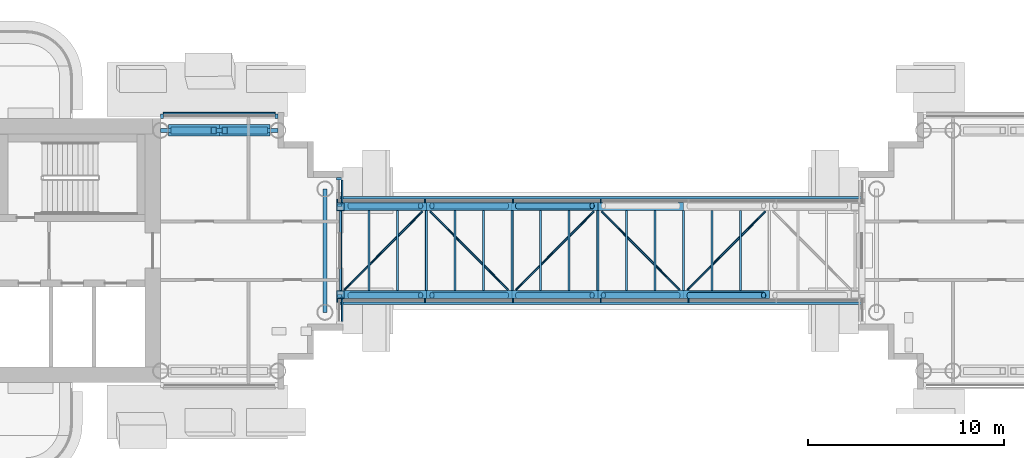
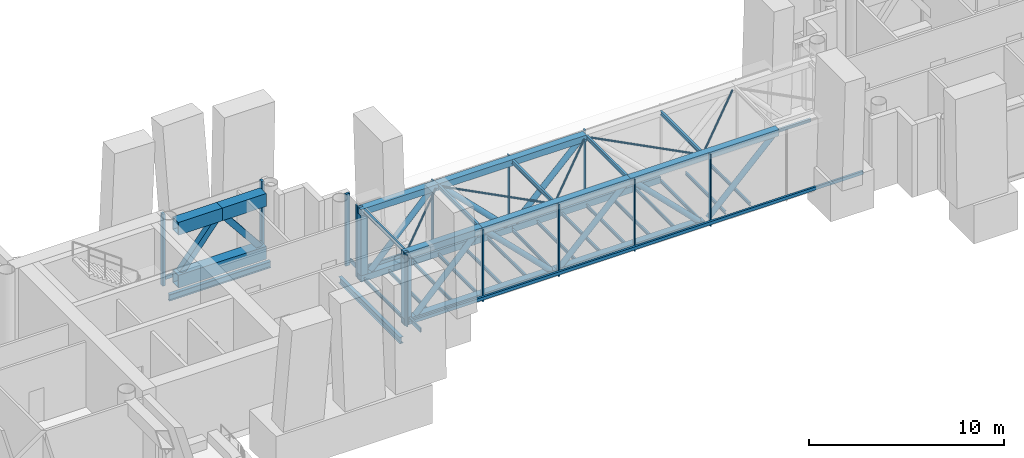
# One storey, part 4 of 26: 48 members, 22 beams, 5 elements without a shape of their own.
"""IFC4 building model written with IfcOpenShell, lengths in metres."""

from ifc_helpers import new_model, si_unit, direction, frame, origin, origin_2d, place, context, subcontext, project, spatial, rectangle, hollow_rectangle, hollow_circle, i_section, extrude, material, layer, layer_set, material_profile, profile_set, type_object, element, aggregate, save


model = new_model("IFC4")

# Units and contexts
model_context = context("Model", 3, precision=1e-05, world=origin(), true_north=direction((0.0, 1.0)))
body_context = subcontext(model_context, "Body", "Model", "MODEL_VIEW")
ifc_project = project(units=[si_unit("LENGTHUNIT", "METRE"), si_unit("AREAUNIT", "SQUARE_METRE"), si_unit("VOLUMEUNIT", "CUBIC_METRE"), si_unit("PLANEANGLEUNIT", "RADIAN"), si_unit("MASSUNIT", "GRAM", prefix="KILO")], contexts=[model_context])

# Site, building, storey
site_placement = place(None, origin())
site = spatial("IfcSite", under=ifc_project, at=site_placement, CompositionType="ELEMENT")
building_placement = place(site_placement, origin())
building = spatial("IfcBuilding", under=site, at=building_placement, Name="Ipe Terrace Towers", CompositionType="ELEMENT")
storey_placement = place(building_placement, frame((0.0, 0.0, 181.300048828125)))
storey = spatial("IfcBuildingStorey", under=building, at=storey_placement, Name="L50", CompositionType="ELEMENT", Elevation=181.300048828125)

# Curtain wall, members
ifc_material_1 = material(Name="Aluminium alloy 6063-T6", Category="aluminium")
ifc_layer_1 = layer(ifc_material_1, 0.300048828125)
ifc_layer_set_1 = layer_set([ifc_layer_1], Name="BRIDGE ENCLOSURE CURTAIN WALL")
curtain_wall_type_1 = type_object("IfcCurtainWallType", Name="BRIDGE ENCLOSURE CURTAIN WALL", PredefinedType="NOTDEFINED", material=ifc_layer_set_1)
curtain_wall_1_placement = place(storey_placement, origin())
curtain_wall_1 = element("IfcCurtainWall", 1, at=curtain_wall_1_placement, inside=storey, type_object=curtain_wall_type_1, Name="BR3-CW1 curtain wall", PredefinedType="NOTDEFINED")
ifc_material_2 = material(Name="Aluminium alloy 6063-T6", Category="aluminium")
ifc_material_profile_1 = material_profile(ifc_material_2, rectangle(XDim=0.179931640625, YDim=0.070068359375, at=origin_2d()), Name="BRIDGE ENCLOSURE MULLION 180 x 70")
ifc_profile_set_1 = profile_set([ifc_material_profile_1], Name="Aluminium alloy 6063-T6")
member_type_1 = type_object("IfcMemberType", Name="BRIDGE ENCLOSURE MULLION 180 x 70", PredefinedType="MULLION", material=ifc_profile_set_1)
member_1_placement = place(storey_placement, frame((2.25, 2.544921875, -0.300048828125), z_axis=(0.0, 0.0, 1.0), x_axis=(0.0, 1.0, 0.0)))
member_1 = element("IfcMember", 2, at=member_1_placement, type_object=member_type_1, Name="BR3-CW1 mullion 4", PredefinedType="MULLION", context=body_context, shape_type="SweptSolid", body=[
    extrude(rectangle(XDim=0.179931640625, YDim=0.070068359375, at=origin_2d()), origin(), (0.0, 0.0, 1.0), 4.5),
])
member_2_placement = place(storey_placement, frame((-2.23828125, 2.544921875, -0.300048828125), z_axis=(0.0, 0.0, 1.0), x_axis=(0.0, 1.0, 0.0)))
member_2 = element("IfcMember", 3, at=member_2_placement, type_object=member_type_1, Name="BR3-CW1 mullion 5", PredefinedType="MULLION", context=body_context, shape_type="SweptSolid", body=[
    extrude(rectangle(XDim=0.179931640625, YDim=0.070068359375, at=origin_2d()), origin(), (0.0, 0.0, 1.0), 4.5),
])
member_3_placement = place(storey_placement, frame((-6.7265625, 2.544921875, -0.300048828125), z_axis=(0.0, 0.0, 1.0), x_axis=(0.0, 1.0, 0.0)))
member_3 = element("IfcMember", 4, at=member_3_placement, type_object=member_type_1, Name="BR3-CW1 mullion 6", PredefinedType="MULLION", context=body_context, shape_type="SweptSolid", body=[
    extrude(rectangle(XDim=0.179931640625, YDim=0.070068359375, at=origin_2d()), origin(), (0.0, 0.0, 1.0), 4.5),
])
member_4_placement = place(storey_placement, frame((-11.215087890625, 2.544921875, -0.300048828125), z_axis=(0.0, 0.0, 1.0), x_axis=(0.0, 1.0, 0.0)))
member_4 = element("IfcMember", 5, at=member_4_placement, type_object=member_type_1, Name="BR3-CW1 mullion 7", PredefinedType="MULLION", context=body_context, shape_type="SweptSolid", body=[
    extrude(rectangle(XDim=0.179931640625, YDim=0.070068359375, at=origin_2d()), origin(), (0.0, 0.0, 1.0), 4.5),
])

curtain_wall_2_placement = place(storey_placement, origin())
curtain_wall_2 = element("IfcCurtainWall", 6, at=curtain_wall_2_placement, inside=storey, type_object=curtain_wall_type_1, Name="BR3-CW2 curtain wall", PredefinedType="NOTDEFINED")
member_5_placement = place(storey_placement, frame((-11.215087890625, -2.544921875, -0.300048828125), z_axis=(0.0, 0.0, 1.0), x_axis=(0.0, -1.0, 0.0)))
member_5 = element("IfcMember", 7, at=member_5_placement, type_object=member_type_1, Name="BR3-CW2 mullion 1", PredefinedType="MULLION", context=body_context, shape_type="SweptSolid", body=[
    extrude(rectangle(XDim=0.179931640625, YDim=0.070068359375, at=origin_2d()), origin(), (0.0, 0.0, 1.0), 4.5),
])
member_6_placement = place(storey_placement, frame((-6.7265625, -2.544921875, -0.300048828125), z_axis=(0.0, 0.0, 1.0), x_axis=(0.0, -1.0, 0.0)))
member_6 = element("IfcMember", 8, at=member_6_placement, type_object=member_type_1, Name="BR3-CW2 mullion 2", PredefinedType="MULLION", context=body_context, shape_type="SweptSolid", body=[
    extrude(rectangle(XDim=0.179931640625, YDim=0.070068359375, at=origin_2d()), origin(), (0.0, 0.0, 1.0), 4.5),
])
member_7_placement = place(storey_placement, frame((-2.23828125, -2.544921875, -0.300048828125), z_axis=(0.0, 0.0, 1.0), x_axis=(0.0, -1.0, 0.0)))
member_7 = element("IfcMember", 9, at=member_7_placement, type_object=member_type_1, Name="BR3-CW2 mullion 3", PredefinedType="MULLION", context=body_context, shape_type="SweptSolid", body=[
    extrude(rectangle(XDim=0.179931640625, YDim=0.070068359375, at=origin_2d()), origin(), (0.0, 0.0, 1.0), 4.5),
])
member_8_placement = place(storey_placement, frame((2.25, -2.544921875, -0.300048828125), z_axis=(0.0, 0.0, 1.0), x_axis=(0.0, -1.0, 0.0)))
member_8 = element("IfcMember", 10, at=member_8_placement, type_object=member_type_1, Name="BR3-CW2 mullion 4", PredefinedType="MULLION", context=body_context, shape_type="SweptSolid", body=[
    extrude(rectangle(XDim=0.179931640625, YDim=0.070068359375, at=origin_2d()), origin(), (0.0, 0.0, 1.0), 4.5),
])
member_9_placement = place(storey_placement, frame((6.73828125, -2.544921875, -0.300048828125), z_axis=(0.0, 0.0, 1.0), x_axis=(0.0, -1.0, 0.0)))
member_9 = element("IfcMember", 11, at=member_9_placement, type_object=member_type_1, Name="BR3-CW2 mullion 5", PredefinedType="MULLION", context=body_context, shape_type="SweptSolid", body=[
    extrude(rectangle(XDim=0.179931640625, YDim=0.070068359375, at=origin_2d()), origin(), (0.0, 0.0, 1.0), 4.5),
])

# Member
ifc_material_3 = material(Name="Aluminium alloy 6063-T6", Category="aluminium")
ifc_material_profile_2 = material_profile(ifc_material_3, rectangle(XDim=0.1201171875, YDim=0.199951171875, at=origin_2d()), Name="BRIDGE ENCLOSURE TRANSOM 120 x 200")
ifc_profile_set_2 = profile_set([ifc_material_profile_2], Name="Aluminium alloy 6063-T6")
member_type_2 = type_object("IfcMemberType", Name="BRIDGE ENCLOSURE TRANSOM 120 x 200", PredefinedType="USERDEFINED", material=ifc_profile_set_2)
member_10_placement = place(storey_placement, frame((15.679931640625, 2.695068359375, 0.0), z_axis=(-1.0, 0.0, 0.0), x_axis=(0.0, 1.0, 0.0)))
member_10 = element("IfcMember", 12, at=member_10_placement, type_object=member_type_2, Name="BR3-CW1 transom", ObjectType="TRANSOM", PredefinedType="USERDEFINED", context=body_context, shape_type="SweptSolid", body=[
    extrude(rectangle(XDim=0.1201171875, YDim=0.199951171875, at=origin_2d()), origin(), (0.0, 0.0, 1.0), 26.85986328125),
])

aggregate(curtain_wall_1, [member_1, member_2, member_3, member_4, member_10])

member_11_placement = place(storey_placement, frame((-11.179931640625, -2.695068359375, 0.0), z_axis=(1.0, 0.0, 0.0), x_axis=(0.0, -1.0, 0.0)))
member_11 = element("IfcMember", 13, at=member_11_placement, type_object=member_type_2, Name="BR3-CW2 transom", ObjectType="TRANSOM", PredefinedType="USERDEFINED", context=body_context, shape_type="SweptSolid", body=[
    extrude(rectangle(XDim=0.1201171875, YDim=0.199951171875, at=origin_2d()), origin(), (0.0, 0.0, 1.0), 26.85986328125),
])

aggregate(curtain_wall_2, [member_5, member_6, member_7, member_8, member_9, member_11])

# Members
ifc_material_4 = material(Name="Steel S355", Category="steel")
ifc_material_profile_3 = material_profile(ifc_material_4, hollow_rectangle(XDim=0.39990234375, YDim=0.39990234375, WallThickness=0.02001953125, at=origin_2d()), Name="BRIDGE-CHORD BOX 400x400x20")
ifc_profile_set_3 = profile_set([ifc_material_profile_3], Name="Steel S355")
member_type_3 = type_object("IfcMemberType", Name="BRIDGE-CHORD BOX 400x400x20", PredefinedType="CHORD", material=ifc_profile_set_3)
member_12_placement = place(storey_placement, frame((-11.25, -2.25, -0.150146484375), z_axis=(1.0, 0.0, 0.0), x_axis=(0.0, 1.0, 0.0)))
element("IfcMember", 14, at=member_12_placement, inside=storey, type_object=member_type_3, Name="BR3-TSBC-001 bottom chord", PredefinedType="CHORD", context=body_context, shape_type="SweptSolid", body=[
    extrude(hollow_rectangle(XDim=0.39990234375, YDim=0.39990234375, WallThickness=0.02001953125, at=origin_2d()), origin(), (0.0, 0.0, 1.0), 8.967041015625),
])
member_13_placement = place(storey_placement, frame((-2.282958984375, -2.25, -0.150146484375), z_axis=(1.0, 0.0, 0.0), x_axis=(0.0, 1.0, 0.0)))
element("IfcMember", 15, at=member_13_placement, inside=storey, type_object=member_type_3, Name="BR3-TSBC-002 bottom chord", PredefinedType="CHORD", context=body_context, shape_type="SweptSolid", body=[
    extrude(hollow_rectangle(XDim=0.39990234375, YDim=0.39990234375, WallThickness=0.02001953125, at=origin_2d()), origin(), (0.0, 0.0, 1.0), 8.765869140625),
])
member_14_placement = place(storey_placement, frame((-11.25, -2.25, 4.0), z_axis=(1.0, 0.0, 0.0), x_axis=(0.0, 1.0, 0.0)))
element("IfcMember", 16, at=member_14_placement, inside=storey, type_object=member_type_3, Name="BR3-TSTC-004 top chord", PredefinedType="CHORD", context=body_context, shape_type="SweptSolid", body=[
    extrude(hollow_rectangle(XDim=0.39990234375, YDim=0.39990234375, WallThickness=0.02001953125, at=origin_2d()), origin(), (0.0, 0.0, 1.0), 4.5830078125),
])
member_15_placement = place(storey_placement, frame((-6.6669921875, -2.25, 4.0), z_axis=(1.0, 0.0, 0.0), x_axis=(0.0, 1.0, 0.0)))
element("IfcMember", 17, at=member_15_placement, inside=storey, type_object=member_type_3, Name="BR3-TSTC-005 top chord", PredefinedType="CHORD", context=body_context, shape_type="SweptSolid", body=[
    extrude(hollow_rectangle(XDim=0.39990234375, YDim=0.39990234375, WallThickness=0.02001953125, at=origin_2d()), origin(), (0.0, 0.0, 1.0), 8.76708984375),
])
member_16_placement = place(storey_placement, frame((2.10009765625, -2.25, 4.0), z_axis=(1.0, 0.0, 0.0), x_axis=(0.0, 1.0, 0.0)))
element("IfcMember", 18, at=member_16_placement, inside=storey, type_object=member_type_3, Name="BR3-TSTC-006 top chord", PredefinedType="CHORD", context=body_context, shape_type="SweptSolid", body=[
    extrude(hollow_rectangle(XDim=0.39990234375, YDim=0.39990234375, WallThickness=0.02001953125, at=origin_2d()), origin(), (0.0, 0.0, 1.0), 8.765869140625),
])
member_17_placement = place(storey_placement, frame((-11.25, 2.25, -0.150146484375), z_axis=(1.0, 0.0, 0.0), x_axis=(0.0, 1.0, 0.0)))
element("IfcMember", 19, at=member_17_placement, inside=storey, type_object=member_type_3, Name="BR3-TNBC-016 bottom chord", PredefinedType="CHORD", context=body_context, shape_type="SweptSolid", body=[
    extrude(hollow_rectangle(XDim=0.39990234375, YDim=0.39990234375, WallThickness=0.02001953125, at=origin_2d()), origin(), (0.0, 0.0, 1.0), 8.967041015625),
])
member_18_placement = place(storey_placement, frame((-2.282958984375, 2.25, -0.150146484375), z_axis=(1.0, 0.0, 0.0), x_axis=(0.0, 1.0, 0.0)))
element("IfcMember", 20, at=member_18_placement, inside=storey, type_object=member_type_3, Name="BR3-TNBC-017 bottom chord", PredefinedType="CHORD", context=body_context, shape_type="SweptSolid", body=[
    extrude(hollow_rectangle(XDim=0.39990234375, YDim=0.39990234375, WallThickness=0.02001953125, at=origin_2d()), origin(), (0.0, 0.0, 1.0), 8.765869140625),
])
member_19_placement = place(storey_placement, frame((-11.25, 2.25, 4.0), z_axis=(1.0, 0.0, 0.0), x_axis=(0.0, 1.0, 0.0)))
element("IfcMember", 21, at=member_19_placement, inside=storey, type_object=member_type_3, Name="BR3-TNTC-019 top chord", PredefinedType="CHORD", context=body_context, shape_type="SweptSolid", body=[
    extrude(hollow_rectangle(XDim=0.39990234375, YDim=0.39990234375, WallThickness=0.02001953125, at=origin_2d()), origin(), (0.0, 0.0, 1.0), 4.5830078125),
])
member_20_placement = place(storey_placement, frame((-6.6669921875, 2.25, 4.0), z_axis=(1.0, 0.0, 0.0), x_axis=(0.0, 1.0, 0.0)))
element("IfcMember", 22, at=member_20_placement, inside=storey, type_object=member_type_3, Name="BR3-TNTC-020 top chord", PredefinedType="CHORD", context=body_context, shape_type="SweptSolid", body=[
    extrude(hollow_rectangle(XDim=0.39990234375, YDim=0.39990234375, WallThickness=0.02001953125, at=origin_2d()), origin(), (0.0, 0.0, 1.0), 8.76708984375),
])

# Beams
ifc_material_5 = material(Name="Steel S355", Category="steel")
ifc_material_profile_4 = material_profile(ifc_material_5, i_section(OverallWidth=0.10009765625, OverallDepth=0.199951171875, WebThickness=0.005615234375, FlangeThickness=0.008056640625, at=origin_2d()), Name="H200x100")
ifc_profile_set_4 = profile_set([ifc_material_profile_4], Name="Steel S355")
beam_type_1 = type_object("IfcBeamType", Name="BRIDGE-DECK BEAM H200x100", PredefinedType="BEAM", material=ifc_profile_set_4)
for number, where, z_axis, x_axis, name in (
    (23, (-11.050048828125, -2.050048828125, -0.219970703125), (0.0, 1.0, 0.0), (-1.0, 0.0, 0.0), "BR3-DB-031 deck beam"),
    (24, (-9.589111328125, -2.050048828125, -0.219970703125), (0.0, 1.0, 0.0), (-1.0, 0.0, 0.0), "BR3-DB-032 deck beam"),
    (25, (-8.1279296875, -2.050048828125, -0.219970703125), (0.0, 1.0, 0.0), (-1.0, 0.0, 0.0), "BR3-DB-033 deck beam"),
    (26, (-6.6669921875, -2.050048828125, -0.219970703125), (0.0, 1.0, 0.0), (-1.0, 0.0, 0.0), "BR3-DB-034 deck beam"),
    (27, (-5.2060546875, -2.050048828125, -0.219970703125), (0.0, 1.0, 0.0), (-1.0, 0.0, 0.0), "BR3-DB-035 deck beam"),
    (28, (-3.743896484375, -2.050048828125, -0.219970703125), (0.0, 1.0, 0.0), (-1.0, 0.0, 0.0), "BR3-DB-036 deck beam"),
    (29, (-2.282958984375, -2.050048828125, -0.219970703125), (0.0, 1.0, 0.0), (-1.0, 0.0, 0.0), "BR3-DB-037 deck beam"),
    (30, (-0.822021484375, -2.050048828125, -0.219970703125), (0.0, 1.0, 0.0), (-1.0, 0.0, 0.0), "BR3-DB-038 deck beam"),
    (31, (0.638916015625, -2.050048828125, -0.219970703125), (0.0, 1.0, 0.0), (-1.0, 0.0, 0.0), "BR3-DB-039 deck beam"),
    (32, (2.10009765625, -2.050048828125, -0.219970703125), (0.0, 1.0, 0.0), (-1.0, 0.0, 0.0), "BR3-DB-040 deck beam"),
    (33, (3.56103515625, -2.050048828125, -0.219970703125), (0.0, 1.0, 0.0), (-1.0, 0.0, 0.0), "BR3-DB-041 deck beam"),
    (34, (5.02197265625, -2.050048828125, -0.219970703125), (0.0, 1.0, 0.0), (-1.0, 0.0, 0.0), "BR3-DB-042 deck beam"),
    (35, (6.48291015625, -2.050048828125, -0.219970703125), (0.0, 1.0, 0.0), (-1.0, 0.0, 0.0), "BR3-DB-043 deck beam"),
    (36, (7.944091796875, -2.050048828125, -0.219970703125), (0.0, 1.0, 0.0), (-1.0, 0.0, 0.0), "BR3-DB-044 deck beam"),
    (37, (9.406005859375, -2.050048828125, -0.219970703125), (0.0, 1.0, 0.0), (-1.0, 0.0, 0.0), "BR3-DB-045 deck beam"),
):
    element("IfcBeam", number, at=place(storey_placement, frame(where, z_axis=z_axis, x_axis=x_axis)), inside=storey, type_object=beam_type_1, Name=name, PredefinedType="BEAM", context=body_context, shape_type="SweptSolid", body=[
        extrude(i_section(OverallWidth=0.10009765625, OverallDepth=0.199951171875, WebThickness=0.005615234375, FlangeThickness=0.008056640625, at=origin_2d()), origin(), (0.0, 0.0, 1.0), 4.10009765625),
    ])

# Members
ifc_material_6 = material(Name="Steel S355", Category="steel")
ifc_material_profile_5 = material_profile(ifc_material_6, hollow_circle(Radius=0.162109375, WallThickness=0.013916015625, at=origin_2d()), Name="BRIDGE-DIAGONAL CHS 324x14")
ifc_profile_set_5 = profile_set([ifc_material_profile_5], Name="Steel S355")
member_type_4 = type_object("IfcMemberType", Name="BRIDGE-DIAGONAL CHS 324x14", PredefinedType="BRACE", material=ifc_profile_set_5)
member_21_placement = place(storey_placement, frame((-10.56005859375, -2.2880859375, 0.030029296875), z_axis=(0.68899972444, 0.0, 0.724761601992), x_axis=(0.0, 1.0, 0.0)))
element("IfcMember", 38, at=member_21_placement, inside=storey, type_object=member_type_4, Name="BR3-TSD-010 diagonal", PredefinedType="BRACE", context=body_context, shape_type="SweptSolid", body=[
    extrude(hollow_circle(Radius=0.162109375, WallThickness=0.013916015625, at=origin_2d()), origin(), (0.0, 0.0, 1.0), 5.229248046875),
])
member_22_placement = place(storey_placement, frame((-6.3779296875, -2.2880859375, 3.820068359375), z_axis=(0.70858249326, 0.0, -0.705627982896), x_axis=(0.0, 1.0, 0.0)))
element("IfcMember", 39, at=member_22_placement, inside=storey, type_object=member_type_4, Name="BR3-TSD-011 diagonal", PredefinedType="BRACE", context=body_context, shape_type="SweptSolid", body=[
    extrude(hollow_circle(Radius=0.162109375, WallThickness=0.013916015625, at=origin_2d()), origin(), (0.0, 0.0, 1.0), 5.37109375),
])
member_23_placement = place(storey_placement, frame((-1.993896484375, -2.2880859375, 0.030029296875), z_axis=(0.708491947593, 0.0, 0.705718896017), x_axis=(0.0, 1.0, 0.0)))
element("IfcMember", 40, at=member_23_placement, inside=storey, type_object=member_type_4, Name="BR3-TSD-012 diagonal", PredefinedType="BRACE", context=body_context, shape_type="SweptSolid", body=[
    extrude(hollow_circle(Radius=0.162109375, WallThickness=0.013916015625, at=origin_2d()), origin(), (0.0, 0.0, 1.0), 5.370361328125),
])
member_24_placement = place(storey_placement, frame((2.388916015625, -2.2880859375, 3.820068359375), z_axis=(0.708514587291, 0.0, -0.70569616663), x_axis=(0.0, 1.0, 0.0)))
element("IfcMember", 41, at=member_24_placement, inside=storey, type_object=member_type_4, Name="BR3-TSD-013 diagonal", PredefinedType="BRACE", context=body_context, shape_type="SweptSolid", body=[
    extrude(hollow_circle(Radius=0.162109375, WallThickness=0.013916015625, at=origin_2d()), origin(), (0.0, 0.0, 1.0), 5.37060546875),
])
member_25_placement = place(storey_placement, frame((6.77197265625, -2.2880859375, 0.030029296875), z_axis=(0.708491947593, 0.0, 0.705718896017), x_axis=(0.0, 1.0, 0.0)))
element("IfcMember", 42, at=member_25_placement, inside=storey, type_object=member_type_4, Name="BR3-TSD-014 diagonal", PredefinedType="BRACE", context=body_context, shape_type="SweptSolid", body=[
    extrude(hollow_circle(Radius=0.162109375, WallThickness=0.013916015625, at=origin_2d()), origin(), (0.0, 0.0, 1.0), 5.370361328125),
])
member_26_placement = place(storey_placement, frame((-10.56005859375, 2.2880859375, 0.030029296875), z_axis=(0.68899972444, 0.0, 0.724761601992), x_axis=(0.0, 1.0, 0.0)))
element("IfcMember", 43, at=member_26_placement, inside=storey, type_object=member_type_4, Name="BR3-TND-025 diagonal", PredefinedType="BRACE", context=body_context, shape_type="SweptSolid", body=[
    extrude(hollow_circle(Radius=0.162109375, WallThickness=0.013916015625, at=origin_2d()), origin(), (0.0, 0.0, 1.0), 5.229248046875),
])
member_27_placement = place(storey_placement, frame((-6.3779296875, 2.2880859375, 3.820068359375), z_axis=(0.70858249326, 0.0, -0.705627982896), x_axis=(0.0, 1.0, 0.0)))
element("IfcMember", 44, at=member_27_placement, inside=storey, type_object=member_type_4, Name="BR3-TND-026 diagonal", PredefinedType="BRACE", context=body_context, shape_type="SweptSolid", body=[
    extrude(hollow_circle(Radius=0.162109375, WallThickness=0.013916015625, at=origin_2d()), origin(), (0.0, 0.0, 1.0), 5.37109375),
])
member_28_placement = place(storey_placement, frame((-1.993896484375, 2.2880859375, 0.030029296875), z_axis=(0.708491947593, 0.0, 0.705718896017), x_axis=(0.0, 1.0, 0.0)))
element("IfcMember", 45, at=member_28_placement, inside=storey, type_object=member_type_4, Name="BR3-TND-027 diagonal", PredefinedType="BRACE", context=body_context, shape_type="SweptSolid", body=[
    extrude(hollow_circle(Radius=0.162109375, WallThickness=0.013916015625, at=origin_2d()), origin(), (0.0, 0.0, 1.0), 5.370361328125),
])
ifc_material_7 = material(Name="Steel S355", Category="steel")
ifc_material_profile_6 = material_profile(ifc_material_7, hollow_circle(Radius=0.05712890625, WallThickness=0.006103515625, at=origin_2d()), Name="BRIDGE-PLAN BRACE CHS 114x6")
ifc_profile_set_6 = profile_set([ifc_material_profile_6], Name="Steel S355")
member_type_5 = type_object("IfcMemberType", Name="BRIDGE-PLAN BRACE CHS 114x6", PredefinedType="BRACE", material=ifc_profile_set_6)
member_29_placement = place(storey_placement, frame((-10.860107421875, -2.010009765625, 4.0), z_axis=(0.705620566266, 0.708589878888, 0.0), x_axis=(-0.708589878888, 0.705620566266, 0.0)))
element("IfcMember", 46, at=member_29_placement, inside=storey, type_object=member_type_5, Name="BR3-PB-057 roof plan brace", PredefinedType="BRACE", context=body_context, shape_type="SweptSolid", body=[
    extrude(hollow_circle(Radius=0.05712890625, WallThickness=0.006103515625, at=origin_2d()), origin(), (0.0, 0.0, 1.0), 5.67333984375),
])
member_30_placement = place(storey_placement, frame((-6.47705078125, 2.010009765625, 4.0), z_axis=(0.705706978969, -0.708503817798, 0.0), x_axis=(0.708503817798, 0.705706978969, 0.0)))
element("IfcMember", 47, at=member_30_placement, inside=storey, type_object=member_type_5, Name="BR3-PB-058 roof plan brace", PredefinedType="BRACE", context=body_context, shape_type="SweptSolid", body=[
    extrude(hollow_circle(Radius=0.05712890625, WallThickness=0.006103515625, at=origin_2d()), origin(), (0.0, 0.0, 1.0), 5.674072265625),
])
for number, where, z_axis, x_axis, name in (
    (48, (-2.093017578125, -2.010009765625, 4.0), (0.705598958169, 0.708611395781, 0.0), (-0.708611395781, 0.705598958169, 0.0), "BR3-PB-059 roof plan brace"),
    (49, (2.2900390625, 2.010009765625, 4.0), (0.705598958169, -0.708611395781, 0.0), (0.708611395781, 0.705598958169, 0.0), "BR3-PB-060 roof plan brace"),
    (50, (6.673095703125, -2.010009765625, 4.0), (0.705598958169, 0.708611395781, 0.0), (-0.708611395781, 0.705598958169, 0.0), "BR3-PB-061 roof plan brace"),
):
    element("IfcMember", number, at=place(storey_placement, frame(where, z_axis=z_axis, x_axis=x_axis)), inside=storey, type_object=member_type_5, Name=name, PredefinedType="BRACE", context=body_context, shape_type="SweptSolid", body=[
        extrude(hollow_circle(Radius=0.05712890625, WallThickness=0.006103515625, at=origin_2d()), origin(), (0.0, 0.0, 1.0), 5.673095703125),
    ])
ifc_material_8 = material(Name="Steel S355", Category="steel")
ifc_material_profile_7 = material_profile(ifc_material_8, hollow_rectangle(XDim=0.39990234375, YDim=0.39990234375, WallThickness=0.02001953125, at=origin_2d()), Name="BRIDGE-POST BOX 400x400x20")
ifc_profile_set_7 = profile_set([ifc_material_profile_7], Name="Steel S355")
member_type_6 = type_object("IfcMemberType", Name="BRIDGE-POST BOX 400x400x20", PredefinedType="POST", material=ifc_profile_set_7)
for number, where, z_axis, x_axis, name in (
    (51, (-11.050048828125, -2.25, 0.050048828125), (0.0, 0.0, 1.0), (1.0, 0.0, 0.0), "BR3-TSP-008 end post"),
    (52, (-11.050048828125, 2.25, 0.050048828125), (0.0, 0.0, 1.0), (1.0, 0.0, 0.0), "BR3-TNP-023 end post"),
):
    element("IfcMember", number, at=place(storey_placement, frame(where, z_axis=z_axis, x_axis=x_axis)), inside=storey, type_object=member_type_6, Name=name, PredefinedType="POST", context=body_context, shape_type="SweptSolid", body=[
        extrude(hollow_rectangle(XDim=0.39990234375, YDim=0.39990234375, WallThickness=0.02001953125, at=origin_2d()), origin(), (0.0, 0.0, 1.0), 3.75),
    ])

# Beams
ifc_material_9 = material(Name="Steel S355", Category="steel")
ifc_material_profile_8 = material_profile(ifc_material_9, i_section(OverallWidth=0.125, OverallDepth=0.25, WebThickness=0.006103515625, FlangeThickness=0.009033203125, at=origin_2d()), Name="H250x125")
ifc_profile_set_8 = profile_set([ifc_material_profile_8], Name="Steel S355")
beam_type_2 = type_object("IfcBeamType", Name="BRIDGE-ROOF BEAM H250x125", PredefinedType="BEAM", material=ifc_profile_set_8)
for number, where, z_axis, x_axis, name in (
    (53, (-11.050048828125, -2.050048828125, 4.074951171875), (0.0, 1.0, 0.0), (-1.0, 0.0, 0.0), "BR3-RB-050 roof beam"),
    (54, (-6.6669921875, -2.050048828125, 4.074951171875), (0.0, 1.0, 0.0), (-1.0, 0.0, 0.0), "BR3-RB-051 roof beam"),
    (55, (-2.282958984375, -2.050048828125, 4.074951171875), (0.0, 1.0, 0.0), (-1.0, 0.0, 0.0), "BR3-RB-052 roof beam"),
    (56, (2.10009765625, -2.050048828125, 4.074951171875), (0.0, 1.0, 0.0), (-1.0, 0.0, 0.0), "BR3-RB-053 roof beam"),
    (57, (6.48291015625, -2.050048828125, 4.074951171875), (0.0, 1.0, 0.0), (-1.0, 0.0, 0.0), "BR3-RB-054 roof beam"),
):
    element("IfcBeam", number, at=place(storey_placement, frame(where, z_axis=z_axis, x_axis=x_axis)), inside=storey, type_object=beam_type_2, Name=name, PredefinedType="BEAM", context=body_context, shape_type="SweptSolid", body=[
        extrude(i_section(OverallWidth=0.125, OverallDepth=0.25, WebThickness=0.006103515625, FlangeThickness=0.009033203125, at=origin_2d()), origin(), (0.0, 0.0, 1.0), 4.10009765625),
    ])
ifc_material_10 = material(Name="Steel S355", Category="steel")
ifc_material_profile_9 = material_profile(ifc_material_10, i_section(OverallWidth=0.199951171875, OverallDepth=0.39990234375, WebThickness=0.008056640625, FlangeThickness=0.012939453125, at=origin_2d()), Name="H-400x200x8x13")
ifc_profile_set_9 = profile_set([ifc_material_profile_9], Name="Steel S355")
beam_type_3 = type_object("IfcBeamType", Name="H06 EDGE BEAM H-400x200x8x13", PredefinedType="BEAM", material=ifc_profile_set_9)
beam_1_placement = place(storey_placement, frame((-20.25, 6.14990234375, -0.60009765625), z_axis=(1.0, 0.0, 0.0), x_axis=(0.0, 1.0, 0.0)))
element("IfcBeam", 58, at=beam_1_placement, inside=storey, type_object=beam_type_3, Name="Edge beam T1-EB-A02-A04", PredefinedType="BEAM", context=body_context, shape_type="SweptSolid", body=[
    extrude(i_section(OverallWidth=0.199951171875, OverallDepth=0.39990234375, WebThickness=0.008056640625, FlangeThickness=0.012939453125, at=origin_2d()), origin(), (0.0, 0.0, 1.0), 6.0),
])
beam_2_placement = place(storey_placement, frame((-11.85009765625, -3.14990234375, -0.60009765625), z_axis=(0.0, 1.0, 0.0), x_axis=(-1.0, 0.0, 0.0)))
element("IfcBeam", 59, at=beam_2_placement, inside=storey, type_object=beam_type_3, Name="Edge beam T1-EB-A05-A06", PredefinedType="BEAM", context=body_context, shape_type="SweptSolid", body=[
    extrude(i_section(OverallWidth=0.199951171875, OverallDepth=0.39990234375, WebThickness=0.008056640625, FlangeThickness=0.012939453125, at=origin_2d()), origin(), (0.0, 0.0, 1.0), 6.2998046875),
])

# Members
ifc_material_11 = material(Name="Steel S355", Category="steel")
ifc_material_profile_10 = material_profile(ifc_material_11, hollow_rectangle(XDim=0.35009765625, YDim=0.35009765625, WallThickness=0.02001953125, at=origin_2d()), Name="OUTRIGGER-BRACE BOX 350x350x20")
ifc_profile_set_10 = profile_set([ifc_material_profile_10], Name="Steel S355")
member_type_7 = type_object("IfcMemberType", Name="OUTRIGGER-BRACE BOX 350x350x20", PredefinedType="BRACE", material=ifc_profile_set_10)
for number, where, z_axis, x_axis, name in (
    (60, (-19.568115234375, 6.14990234375, 0.780029296875), (0.62546299245, 0.0, 0.780253833746), (0.0, 1.0, 0.0), "T1-OR-L50-228 diagonal"),
    (61, (-14.931884765625, 6.14990234375, 0.780029296875), (-0.62546299245, 0.0, 0.780253833746), (0.0, -1.0, 0.0), "T1-OR-L50-229 diagonal"),
):
    element("IfcMember", number, at=place(storey_placement, frame(where, z_axis=z_axis, x_axis=x_axis)), inside=storey, type_object=member_type_7, Name=name, PredefinedType="BRACE", context=body_context, shape_type="SweptSolid", body=[
        extrude(hollow_rectangle(XDim=0.35009765625, YDim=0.35009765625, WallThickness=0.02001953125, at=origin_2d()), origin(), (0.0, 0.0, 1.0), 3.25537109375),
    ])
ifc_material_12 = material(Name="Steel S355", Category="steel")
ifc_material_profile_11 = material_profile(ifc_material_12, hollow_rectangle(XDim=0.60009765625, YDim=0.800048828125, WallThickness=0.0400390625, at=origin_2d()), Name="OUTRIGGER-CHORD BOX 600x800x40")
ifc_profile_set_11 = profile_set([ifc_material_profile_11], Name="Steel S355")
member_type_8 = type_object("IfcMemberType", Name="OUTRIGGER-CHORD BOX 600x800x40", PredefinedType="CHORD", material=ifc_profile_set_11)
member_31_placement = place(storey_placement, frame((-19.85009765625, 6.14990234375, 0.39990234375), z_axis=(1.0, 0.0, 0.0), x_axis=(0.0, 1.0, 0.0)))
element("IfcMember", 62, at=member_31_placement, inside=storey, type_object=member_type_8, Name="T1-OR-L50-227 bottom chord", PredefinedType="CHORD", context=body_context, shape_type="SweptSolid", body=[
    extrude(hollow_rectangle(XDim=0.60009765625, YDim=0.800048828125, WallThickness=0.0400390625, at=origin_2d()), origin(), (0.0, 0.0, 1.0), 5.2001953125),
])
for number, where, z_axis, x_axis, name in (
    (63, (-19.85009765625, 6.14990234375, 3.699951171875), (1.0, 0.0, 0.0), (0.0, 1.0, 0.0), "T1-OR-L50-230 top chord"),
    (64, (-17.25, 6.14990234375, 3.699951171875), (1.0, 0.0, 0.0), (0.0, 1.0, 0.0), "T1-OR-L50-231 top chord"),
):
    element("IfcMember", number, at=place(storey_placement, frame(where, z_axis=z_axis, x_axis=x_axis)), inside=storey, type_object=member_type_8, Name=name, PredefinedType="CHORD", context=body_context, shape_type="SweptSolid", body=[
        extrude(hollow_rectangle(XDim=0.60009765625, YDim=0.800048828125, WallThickness=0.0400390625, at=origin_2d()), origin(), (0.0, 0.0, 1.0), 2.60009765625),
    ])

# Curtain wall, member
ifc_material_13 = material(Name="Aluminium alloy 6063-T6", Category="aluminium")
ifc_layer_2 = layer(ifc_material_13, 0.320068359375)
ifc_layer_set_2 = layer_set([ifc_layer_2], Name="REFUGE FLOOR CURTAIN WALL")
curtain_wall_type_2 = type_object("IfcCurtainWallType", Name="REFUGE FLOOR CURTAIN WALL", PredefinedType="NOTDEFINED", material=ifc_layer_set_2)
curtain_wall_3_placement = place(storey_placement, origin())
curtain_wall_3 = element("IfcCurtainWall", 65, at=curtain_wall_3_placement, inside=storey, type_object=curtain_wall_type_2, Name="T1-CW-L50-21a curtain wall", PredefinedType="NOTDEFINED")
ifc_material_14 = material(Name="Aluminium alloy 6063-T6", Category="aluminium")
ifc_material_profile_12 = material_profile(ifc_material_14, rectangle(XDim=0.239990234375, YDim=0.139892578125, at=origin_2d()), Name="REFUGE FLOOR CORNER MULLION 240 x 140")
ifc_profile_set_12 = profile_set([ifc_material_profile_12], Name="Aluminium alloy 6063-T6")
member_type_9 = type_object("IfcMemberType", Name="REFUGE FLOOR CORNER MULLION 240 x 140", PredefinedType="MULLION", material=ifc_profile_set_12)
member_32_placement = place(storey_placement, frame((-11.1298828125, -2.320068359375, -0.300048828125), z_axis=(0.0, 0.0, 1.0), x_axis=(1.0, 0.0, 0.0)))
member_32 = element("IfcMember", 66, at=member_32_placement, type_object=member_type_9, Name="T1-CW-L50-21a mullion 2", PredefinedType="MULLION", context=body_context, shape_type="SweptSolid", body=[
    extrude(rectangle(XDim=0.239990234375, YDim=0.139892578125, at=origin_2d()), origin(), (0.0, 0.0, 1.0), 4.5),
])

# Curtain wall, members
curtain_wall_4_placement = place(storey_placement, origin())
curtain_wall_4 = element("IfcCurtainWall", 67, at=curtain_wall_4_placement, inside=storey, type_object=curtain_wall_type_2, Name="T1-CW-L50-21c curtain wall", PredefinedType="NOTDEFINED")
member_33_placement = place(storey_placement, frame((-11.1298828125, 2.320068359375, -0.300048828125), z_axis=(0.0, 0.0, 1.0), x_axis=(1.0, 0.0, 0.0)))
member_33 = element("IfcMember", 68, at=member_33_placement, type_object=member_type_9, Name="T1-CW-L50-21c mullion 1", PredefinedType="MULLION", context=body_context, shape_type="SweptSolid", body=[
    extrude(rectangle(XDim=0.239990234375, YDim=0.139892578125, at=origin_2d()), origin(), (0.0, 0.0, 1.0), 4.5),
])
member_34_placement = place(storey_placement, frame((-11.1298828125, 3.679931640625, -0.300048828125), z_axis=(0.0, 0.0, 1.0), x_axis=(1.0, 0.0, 0.0)))
member_34 = element("IfcMember", 69, at=member_34_placement, type_object=member_type_9, Name="T1-CW-L50-21c mullion 2", PredefinedType="MULLION", context=body_context, shape_type="SweptSolid", body=[
    extrude(rectangle(XDim=0.239990234375, YDim=0.139892578125, at=origin_2d()), origin(), (0.0, 0.0, 1.0), 4.5),
])

curtain_wall_5_placement = place(storey_placement, origin())
curtain_wall_5 = element("IfcCurtainWall", 70, at=curtain_wall_5_placement, inside=storey, type_object=curtain_wall_type_2, Name="T1-CW-L50-26a curtain wall", PredefinedType="NOTDEFINED")
member_35_placement = place(storey_placement, frame((-14.320068359375, 6.8701171875, -0.300048828125), z_axis=(0.0, 0.0, 1.0), x_axis=(0.0, 1.0, 0.0)))
member_35 = element("IfcMember", 71, at=member_35_placement, type_object=member_type_9, Name="T1-CW-L50-26a mullion 1", PredefinedType="MULLION", context=body_context, shape_type="SweptSolid", body=[
    extrude(rectangle(XDim=0.239990234375, YDim=0.139892578125, at=origin_2d()), origin(), (0.0, 0.0, 1.0), 4.5),
])
member_36_placement = place(storey_placement, frame((-20.178955078125, 6.8701171875, -0.300048828125), z_axis=(0.0, 0.0, 1.0), x_axis=(0.0, 1.0, 0.0)))
member_36 = element("IfcMember", 72, at=member_36_placement, type_object=member_type_9, Name="T1-CW-L50-26a mullion 2", PredefinedType="MULLION", context=body_context, shape_type="SweptSolid", body=[
    extrude(rectangle(XDim=0.239990234375, YDim=0.139892578125, at=origin_2d()), origin(), (0.0, 0.0, 1.0), 4.5),
])

# Member
ifc_material_15 = material(Name="Aluminium alloy 6063-T6", Category="aluminium")
ifc_material_profile_13 = material_profile(ifc_material_15, rectangle(XDim=0.080078125, YDim=0.260009765625, at=origin_2d()), Name="REFUGE FLOOR TRANSOM 80 x 260")
ifc_profile_set_13 = profile_set([ifc_material_profile_13], Name="Aluminium alloy 6063-T6")
member_type_10 = type_object("IfcMemberType", Name="REFUGE FLOOR TRANSOM 80 x 260", PredefinedType="USERDEFINED", material=ifc_profile_set_13)
member_37_placement = place(storey_placement, frame((-10.969970703125, -3.610107421875, 0.0), z_axis=(0.0, 1.0, 0.0), x_axis=(1.0, 0.0, 0.0)))
member_37 = element("IfcMember", 73, at=member_37_placement, type_object=member_type_10, Name="T1-CW-L50-21a transom", ObjectType="TRANSOM", PredefinedType="USERDEFINED", context=body_context, shape_type="SweptSolid", body=[
    extrude(rectangle(XDim=0.080078125, YDim=0.260009765625, at=origin_2d()), origin(), (0.0, 0.0, 1.0), 1.22021484375),
])

aggregate(curtain_wall_3, [member_32, member_37])

member_38_placement = place(storey_placement, frame((-10.969970703125, 2.389892578125, 0.0), z_axis=(0.0, 1.0, 0.0), x_axis=(1.0, 0.0, 0.0)))
member_38 = element("IfcMember", 74, at=member_38_placement, type_object=member_type_10, Name="T1-CW-L50-21c transom", ObjectType="TRANSOM", PredefinedType="USERDEFINED", context=body_context, shape_type="SweptSolid", body=[
    extrude(rectangle(XDim=0.080078125, YDim=0.260009765625, at=origin_2d()), origin(), (0.0, 0.0, 1.0), 1.22021484375),
])

aggregate(curtain_wall_4, [member_33, member_34, member_38])

member_39_placement = place(storey_placement, frame((-14.389892578125, 7.030029296875, 0.0), z_axis=(-1.0, 0.0, 0.0), x_axis=(0.0, 1.0, 0.0)))
member_39 = element("IfcMember", 75, at=member_39_placement, type_object=member_type_10, Name="T1-CW-L50-26a transom", ObjectType="TRANSOM", PredefinedType="USERDEFINED", context=body_context, shape_type="SweptSolid", body=[
    extrude(rectangle(XDim=0.080078125, YDim=0.260009765625, at=origin_2d()), origin(), (0.0, 0.0, 1.0), 5.718994140625),
])

aggregate(curtain_wall_5, [member_35, member_36, member_39])

save(model, "model.ifc")
